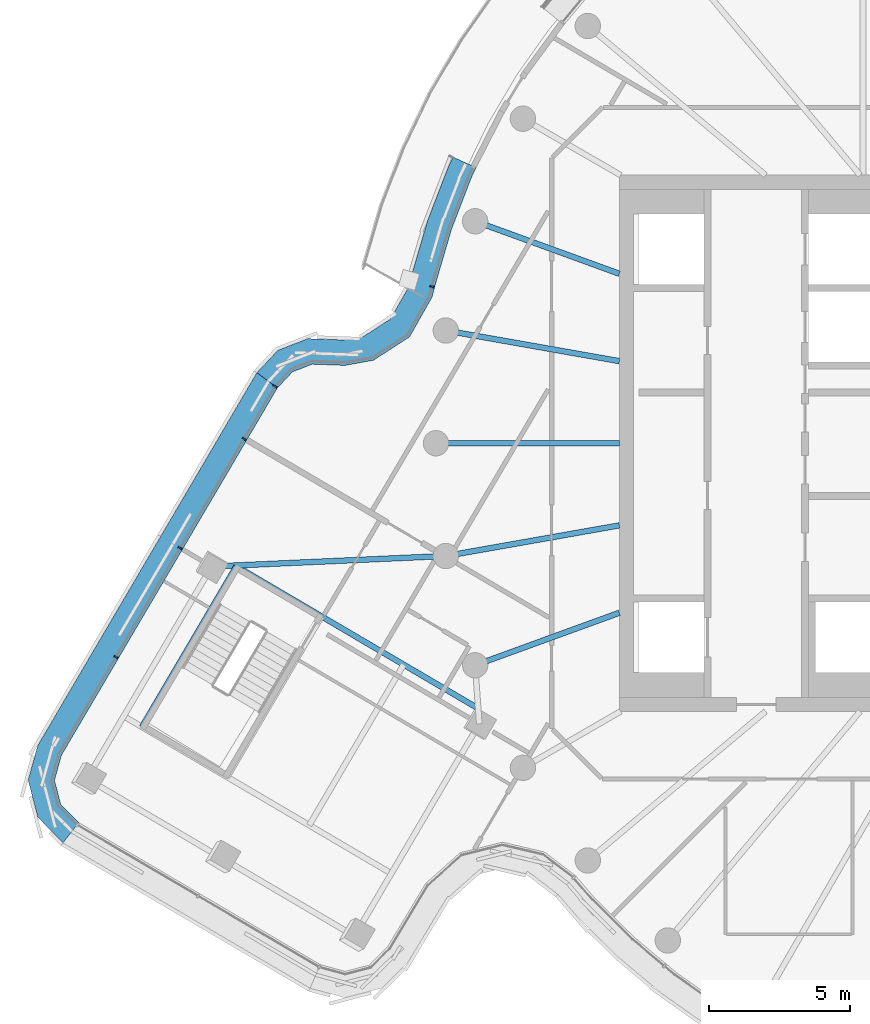
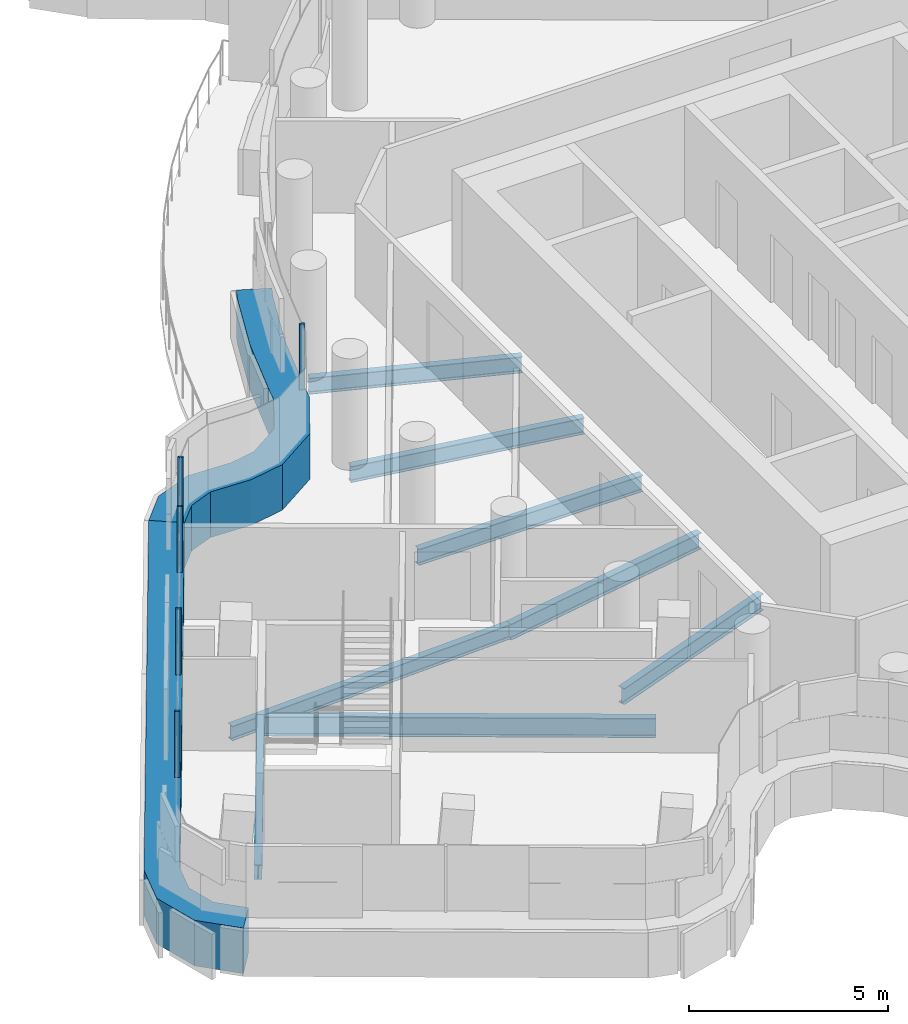
# One storey, part 4 of 26: 8 beams, 7 members, 2 elements without a shape of their own.
"""IFC4 building model written with IfcOpenShell, lengths in metres."""

from ifc_helpers import new_model, si_unit, direction, frame, origin, origin_2d, place, context, subcontext, project, spatial, polyline, rectangle, i_section, outline, extrude, material, layer, layer_set, material_profile, profile_set, type_object, element, aggregate, save


model = new_model("IFC4")

# Units and contexts
model_context = context("Model", 3, precision=1e-05, world=origin(), true_north=direction((0.0, 1.0)))
body_context = subcontext(model_context, "Body", "Model", "MODEL_VIEW")
ifc_project = project(units=[si_unit("LENGTHUNIT", "METRE"), si_unit("AREAUNIT", "SQUARE_METRE"), si_unit("VOLUMEUNIT", "CUBIC_METRE"), si_unit("PLANEANGLEUNIT", "RADIAN"), si_unit("MASSUNIT", "GRAM", prefix="KILO")], contexts=[model_context])

# Site, building, storey
site_placement = place(None, origin())
site = spatial("IfcSite", under=ifc_project, at=site_placement, CompositionType="ELEMENT")
building_placement = place(site_placement, origin())
building = spatial("IfcBuilding", under=site, at=building_placement, Name="Tamarind Cross Interchange Tower", CompositionType="ELEMENT")
storey_placement = place(building_placement, frame((0.0, 0.0, 248.699951171875)))
storey = spatial("IfcBuildingStorey", under=building, at=storey_placement, Name="L63", CompositionType="ELEMENT", Elevation=248.699951171875)

# Beams
ifc_material_1 = material(Name="Steel Q355B", Category="steel")
ifc_material_profile_1 = material_profile(ifc_material_1, i_section(OverallWidth=0.198974609375, OverallDepth=0.446044921875, WebThickness=0.008056640625, FlangeThickness=0.011962890625, FilletRadius=0.012939453125, at=origin_2d()), Name="HN 446x199x8x12")
ifc_profile_set_1 = profile_set([ifc_material_profile_1], Name="Steel Q355B")
beam_type_1 = type_object("IfcBeamType", Name="Composite beam HN 446x199x8x12 Q355B", PredefinedType="BEAM", material=ifc_profile_set_1)
beam_1_placement = place(storey_placement, frame((-30.947509765625, -4.368408203125, -0.363037109375), z_axis=(0.998982794523, 0.045092973364, 0.0), x_axis=(-0.045092973364, 0.998982794523, 0.0)))
element("IfcBeam", 1, at=beam_1_placement, inside=storey, type_object=beam_type_1, Name="Beam W-linkem", PredefinedType="BEAM", context=body_context, shape_type="SweptSolid", body=[
    extrude(i_section(OverallWidth=0.198974609375, OverallDepth=0.446044921875, WebThickness=0.008056640625, FlangeThickness=0.011962890625, FilletRadius=0.012939453125, at=origin_2d()), origin(), (0.0, 0.0, 1.0), 8.305419921875),
])
beam_2_placement = place(storey_placement, frame((-30.07275390625, -4.360595703125, -0.363037109375), z_axis=(-0.5067339684, -0.862102479563, 0.0), x_axis=(0.862102479563, -0.5067339684, 0.0)))
element("IfcBeam", 2, at=beam_2_placement, inside=storey, type_object=beam_type_1, Name="Beam W-tr0", PredefinedType="BEAM", context=body_context, shape_type="SweptSolid", body=[
    extrude(i_section(OverallWidth=0.198974609375, OverallDepth=0.446044921875, WebThickness=0.008056640625, FlangeThickness=0.011962890625, FilletRadius=0.012939453125, at=origin_2d()), origin(), (0.0, 0.0, 1.0), 6.60009765625),
])
ifc_material_profile_2 = material_profile(ifc_material_1, i_section(OverallWidth=0.198974609375, OverallDepth=0.49609375, WebThickness=0.009033203125, FlangeThickness=0.013916015625, FilletRadius=0.012939453125, at=origin_2d()), Name="HN 496x199x9x14")
ifc_profile_set_2 = profile_set([ifc_material_profile_2], Name="Steel Q355B")
beam_type_2 = type_object("IfcBeamType", Name="Composite beam HN 496x199x9x14 Q355B", PredefinedType="BEAM", material=ifc_profile_set_2)
beam_3_placement = place(storey_placement, frame((-21.613037109375, 7.866455078125, -0.387939453125), z_axis=(0.939701685589, -0.341995236956, 0.0), x_axis=(0.341995236956, 0.939701685589, 0.0)))
element("IfcBeam", 3, at=beam_3_placement, inside=storey, type_object=beam_type_2, Name="Beam HH16", PredefinedType="BEAM", context=body_context, shape_type="SweptSolid", body=[
    extrude(i_section(OverallWidth=0.198974609375, OverallDepth=0.49609375, WebThickness=0.009033203125, FlangeThickness=0.013916015625, FilletRadius=0.012939453125, at=origin_2d()), origin(), (0.0, 0.0, 1.0), 5.441162109375),
])
beam_4_placement = place(storey_placement, frame((-22.650634765625, 3.993896484375, -0.387939453125), z_axis=(0.984809127561, -0.173640382036, 0.0), x_axis=(0.173640382036, 0.984809127561, 0.0)))
element("IfcBeam", 4, at=beam_4_placement, inside=storey, type_object=beam_type_2, Name="Beam HH17", PredefinedType="BEAM", context=body_context, shape_type="SweptSolid", body=[
    extrude(i_section(OverallWidth=0.198974609375, OverallDepth=0.49609375, WebThickness=0.009033203125, FlangeThickness=0.013916015625, FilletRadius=0.012939453125, at=origin_2d()), origin(), (0.0, 0.0, 1.0), 6.24560546875),
])
beam_5_placement = place(storey_placement, frame((-23.0, 0.0, -0.387939453125), z_axis=(1.0, 0.0, 0.0), x_axis=(0.0, 1.0, 0.0)))
element("IfcBeam", 5, at=beam_5_placement, inside=storey, type_object=beam_type_2, Name="Beam HH18", PredefinedType="BEAM", context=body_context, shape_type="SweptSolid", body=[
    extrude(i_section(OverallWidth=0.198974609375, OverallDepth=0.49609375, WebThickness=0.009033203125, FlangeThickness=0.013916015625, FilletRadius=0.012939453125, at=origin_2d()), origin(), (0.0, 0.0, 1.0), 6.5),
])
beam_6_placement = place(storey_placement, frame((-22.650634765625, -3.993896484375, -0.387939453125), z_axis=(0.984809127561, 0.173640382036, 0.0), x_axis=(-0.173640382036, 0.984809127561, 0.0)))
element("IfcBeam", 6, at=beam_6_placement, inside=storey, type_object=beam_type_2, Name="Beam HH19", PredefinedType="BEAM", context=body_context, shape_type="SweptSolid", body=[
    extrude(i_section(OverallWidth=0.198974609375, OverallDepth=0.49609375, WebThickness=0.009033203125, FlangeThickness=0.013916015625, FilletRadius=0.012939453125, at=origin_2d()), origin(), (0.0, 0.0, 1.0), 6.24560546875),
])
beam_7_placement = place(storey_placement, frame((-21.613037109375, -7.866455078125, -0.387939453125), z_axis=(0.939701685589, 0.341995236956, 0.0), x_axis=(-0.341995236956, 0.939701685589, 0.0)))
element("IfcBeam", 7, at=beam_7_placement, inside=storey, type_object=beam_type_2, Name="Beam HH20", PredefinedType="BEAM", context=body_context, shape_type="SweptSolid", body=[
    extrude(i_section(OverallWidth=0.198974609375, OverallDepth=0.49609375, WebThickness=0.009033203125, FlangeThickness=0.013916015625, FilletRadius=0.012939453125, at=origin_2d()), origin(), (0.0, 0.0, 1.0), 5.441162109375),
])
ifc_material_profile_3 = material_profile(ifc_material_1, i_section(OverallWidth=0.198974609375, OverallDepth=0.595947265625, WebThickness=0.010009765625, FlangeThickness=0.014892578125, FilletRadius=0.012939453125, at=origin_2d()), Name="HN 596x199x10x15")
ifc_profile_set_3 = profile_set([ifc_material_profile_3], Name="Steel Q355B")
beam_type_3 = type_object("IfcBeamType", Name="Composite beam HN 596x199x10x15 Q355B", PredefinedType="BEAM", material=ifc_profile_set_3)
beam_8_placement = place(storey_placement, frame((-30.122802734375, -4.331298828125, -0.43798828125), z_axis=(0.862111811841, -0.506718091135, 0.0), x_axis=(0.506718091135, 0.862111811841, 0.0)))
element("IfcBeam", 8, at=beam_8_placement, inside=storey, type_object=beam_type_3, Name="Beam W-x298", PredefinedType="BEAM", context=body_context, shape_type="SweptSolid", body=[
    extrude(i_section(OverallWidth=0.198974609375, OverallDepth=0.595947265625, WebThickness=0.010009765625, FlangeThickness=0.014892578125, FilletRadius=0.012939453125, at=origin_2d()), origin(), (0.0, 0.0, 1.0), 9.998046875),
])

# Curtain wall, member
ifc_material_2 = material(Name="Aluminium 6063-T6", Category="aluminium")
ifc_layer = layer(ifc_material_2, 0.139892578125)
ifc_layer_set = layer_set([ifc_layer], Name="Aluminium 6063-T6")
curtain_wall_type = type_object("IfcCurtainWallType", Name="Hotel curtain wall, 4.5 m bays", PredefinedType="NOTDEFINED", material=ifc_layer_set)
curtain_wall_1_placement = place(storey_placement, origin())
curtain_wall_1 = element("IfcCurtainWall", 9, at=curtain_wall_1_placement, inside=storey, type_object=curtain_wall_type, Name="CWS-L63-04", PredefinedType="NOTDEFINED")
ifc_material_3 = material(Name="Aluminium and insulated spandrel panel", Category="aluminium")
member_type_1 = type_object("IfcMemberType", Name="Floor-edge blade transom", PredefinedType="USERDEFINED", material=ifc_material_3)
member_1_placement = place(storey_placement, origin())
member_1 = element("IfcMember", 10, at=member_1_placement, type_object=member_type_1, Name="CWT-L63-04-1", ObjectType="TRANSOM", PredefinedType="USERDEFINED", context=body_context, shape_type="SweptSolid", body=[
    extrude(outline(polyline([(-21.5751953125, 9.76708984375), (-21.74072265625, 9.425048828125), (-22.444580078125, 7.597412109375), (-22.997802734375, 5.709716796875), (-23.140625, 5.173583984375), (-23.9384765625, 3.7666015625), (-25.214111328125, 2.940185546875), (-26.22265625, 2.75732421875), (-27.38623046875, 2.80126953125), (-28.08642578125, 2.527587890625), (-28.62060546875, 1.95849609375), (-29.345458984375, 2.5009765625), (-28.603271484375, 3.2919921875), (-27.539306640625, 3.70751953125), (-26.286865234375, 3.66015625), (-25.55224609375, 3.79345703125), (-24.61279296875, 4.402099609375), (-23.98046875, 5.516845703125), (-23.86474609375, 5.9521484375), (-23.2978515625, 7.88623046875), (-22.567138671875, 9.783203125), (-22.395263671875, 10.138427734375), (-21.5751953125, 9.76708984375)])), origin(), (0.0, 0.0, 1.0), 1.400146484375),
])

curtain_wall_2_placement = place(storey_placement, origin())
curtain_wall_2 = element("IfcCurtainWall", 11, at=curtain_wall_2_placement, inside=storey, type_object=curtain_wall_type, Name="CWS-L63-05", PredefinedType="NOTDEFINED")
member_2_placement = place(storey_placement, origin())
member_2 = element("IfcMember", 12, at=member_2_placement, type_object=member_type_1, Name="CWT-L63-05", ObjectType="TRANSOM", PredefinedType="USERDEFINED", context=body_context, shape_type="SweptSolid", body=[
    extrude(outline(polyline([(-28.62060546875, 1.95849609375), (-36.27392578125, -11.062255859375), (-36.517822265625, -11.944580078125), (-36.2978515625, -12.791015625), (-35.65576171875, -13.443359375), (-36.2138671875, -14.1591796875), (-37.1083984375, -13.25048828125), (-37.449462890625, -11.937255859375), (-37.10986328125, -10.708251953125), (-29.345458984375, 2.5009765625), (-28.62060546875, 1.95849609375)])), origin(), (0.0, 0.0, 1.0), 1.400146484375),
])

# Member
ifc_material_profile_4 = material_profile(ifc_material_2, rectangle(XDim=0.06005859375, YDim=0.139892578125, at=origin_2d()), Name="Mullion CW2")
ifc_profile_set_4 = profile_set([ifc_material_profile_4], Name="Aluminium 6063-T6")
member_type_2 = type_object("IfcMemberType", Name="Mullion CW2", PredefinedType="MULLION", material=ifc_profile_set_4)
member_3_placement = place(storey_placement, frame((-23.143310546875, 5.5517578125, 1.400146484375), z_axis=(0.0, 0.0, 1.0), x_axis=(-0.257321567714, -0.966325830551, 0.0)))
member_3 = element("IfcMember", 13, at=member_3_placement, type_object=member_type_2, Name="CWM-L63-04-04", PredefinedType="MULLION", context=body_context, shape_type="SweptSolid", body=[
    extrude(rectangle(XDim=0.06005859375, YDim=0.139892578125, at=origin_2d()), origin(), (0.0, 0.0, 1.0), 2.02001953125),
])

aggregate(curtain_wall_1, [member_3, member_1])

member_4_placement = place(storey_placement, frame((-28.701171875, 2.018798828125, 1.400146484375), z_axis=(0.0, 0.0, 1.0), x_axis=(-0.599234679771, -0.800573418594, 0.0)))
member_4 = element("IfcMember", 14, at=member_4_placement, type_object=member_type_2, Name="CWM-L63-05-00", PredefinedType="MULLION", context=body_context, shape_type="SweptSolid", body=[
    extrude(rectangle(XDim=0.06005859375, YDim=0.139892578125, at=origin_2d()), origin(), (0.0, 0.0, 1.0), 2.02001953125),
])

member_5_placement = place(storey_placement, frame((-29.795654296875, 0.156494140625, 1.400146484375), z_axis=(0.0, 0.0, 1.0), x_axis=(-0.506732089945, -0.862103583695, 0.0)))
member_5 = element("IfcMember", 15, at=member_5_placement, type_object=member_type_2, Name="CWM-L63-05-01", PredefinedType="MULLION", context=body_context, shape_type="SweptSolid", body=[
    extrude(rectangle(XDim=0.06005859375, YDim=0.139892578125, at=origin_2d()), origin(), (0.0, 0.0, 1.0), 2.02001953125),
])

member_6_placement = place(storey_placement, frame((-32.068603515625, -3.71044921875, 1.400146484375), z_axis=(0.0, 0.0, 1.0), x_axis=(-0.506732089945, -0.862103583695, 0.0)))
member_6 = element("IfcMember", 16, at=member_6_placement, type_object=member_type_2, Name="CWM-L63-05-02", PredefinedType="MULLION", context=body_context, shape_type="SweptSolid", body=[
    extrude(rectangle(XDim=0.06005859375, YDim=0.139892578125, at=origin_2d()), origin(), (0.0, 0.0, 1.0), 2.02001953125),
])

member_7_placement = place(storey_placement, frame((-34.341552734375, -7.577392578125, 1.400146484375), z_axis=(0.0, 0.0, 1.0), x_axis=(-0.506732089945, -0.862103583695, 0.0)))
member_7 = element("IfcMember", 17, at=member_7_placement, type_object=member_type_2, Name="CWM-L63-05-03", PredefinedType="MULLION", context=body_context, shape_type="SweptSolid", body=[
    extrude(rectangle(XDim=0.06005859375, YDim=0.139892578125, at=origin_2d()), origin(), (0.0, 0.0, 1.0), 2.02001953125),
])

aggregate(curtain_wall_2, [member_4, member_5, member_6, member_7, member_2])

save(model, "model.ifc")
